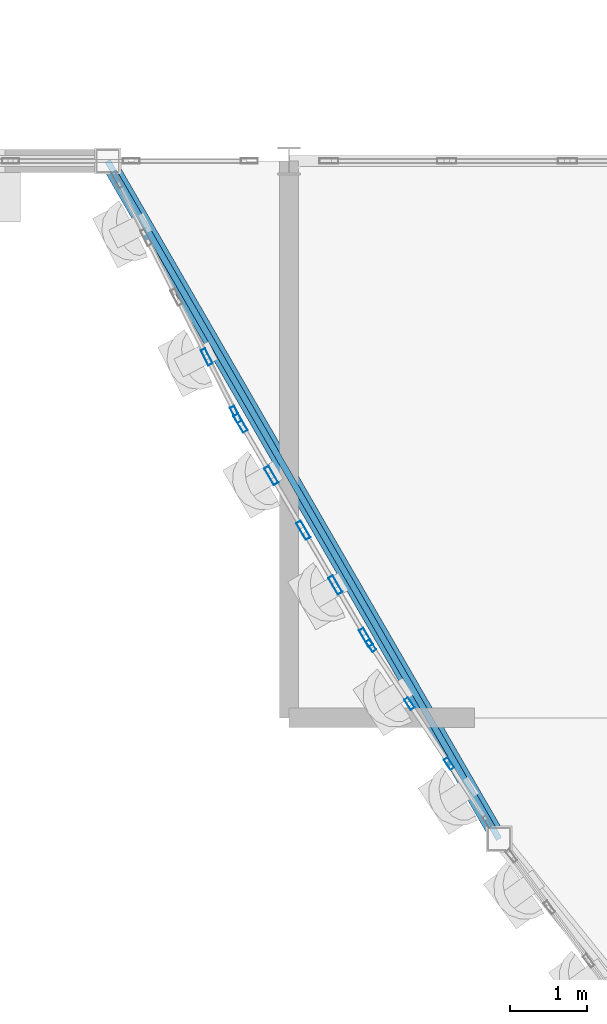
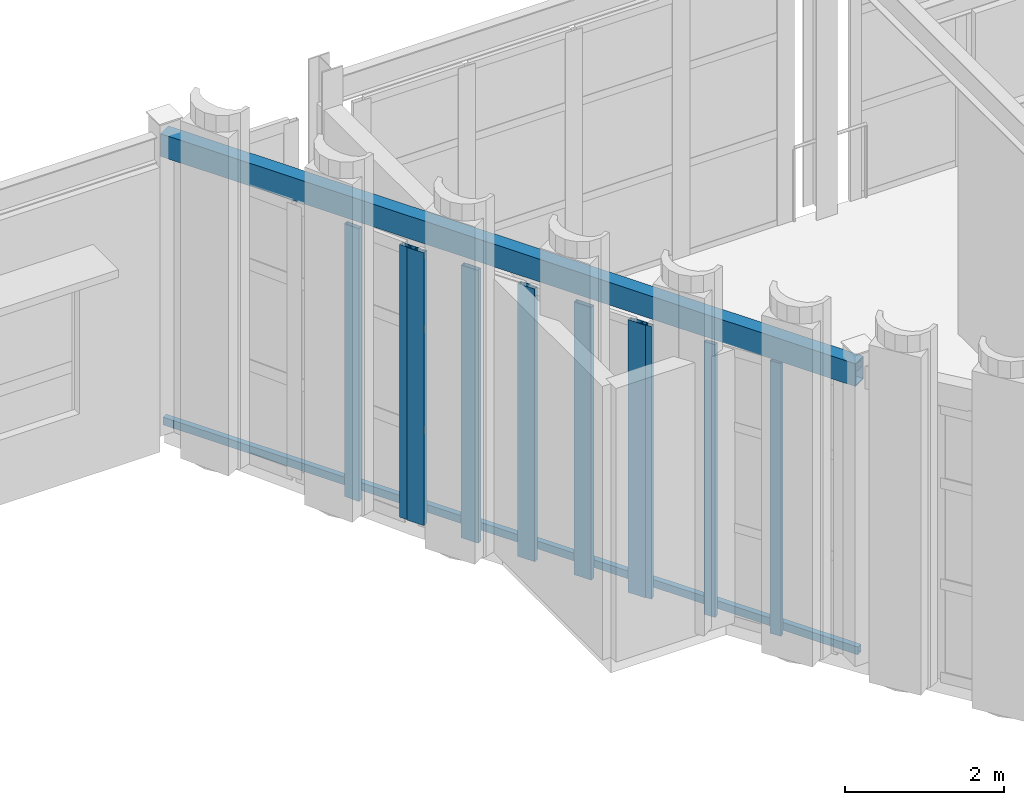
# One storey, part 16 of 126: 12 members, 1 beam, 3 elements without a shape of their own.
"""IFC4 building model written with IfcOpenShell, lengths in metres."""

from ifc_helpers import new_model, si_unit, direction, frame, origin, origin_2d, place, context, subcontext, project, spatial, hollow_rectangle, extrude, material, layer, layer_set, material_profile, profile_set, type_object, element, aggregate, save


model = new_model("IFC4")

# Units and contexts
model_context = context("Model", 3, precision=1e-05, world=origin(), true_north=direction((0.0, 1.0)))
body_context = subcontext(model_context, "Body", "Model", "MODEL_VIEW")
ifc_project = project(units=[si_unit("LENGTHUNIT", "METRE"), si_unit("AREAUNIT", "SQUARE_METRE"), si_unit("VOLUMEUNIT", "CUBIC_METRE"), si_unit("PLANEANGLEUNIT", "RADIAN"), si_unit("MASSUNIT", "GRAM", prefix="KILO")], contexts=[model_context])

# Site, building, storey
site_placement = place(None, origin())
site = spatial("IfcSite", under=ifc_project, at=site_placement, CompositionType="ELEMENT")
building_placement = place(site_placement, origin())
building = spatial("IfcBuilding", under=site, at=building_placement, Name="Solvadek Multi-Sports Hall", CompositionType="ELEMENT")
storey_placement = place(building_placement, frame((0.0, 0.0, 9.60009765625)))
storey = spatial("IfcBuildingStorey", under=building, at=storey_placement, Name="L02", CompositionType="ELEMENT", Elevation=9.60009765625)

# Curtain wall, members
ifc_material_1 = material(Name="Anodised aluminium", Category="aluminium")
ifc_layer_1 = layer(ifc_material_1, 0.159912109375, Name="Anodised aluminium")
ifc_layer_set_1 = layer_set([ifc_layer_1], Name="Anodised aluminium")
curtain_wall_type_1 = type_object("IfcCurtainWallType", Name="ENV-CW-279X420", PredefinedType="USERDEFINED", material=ifc_layer_set_1)
curtain_wall_1_placement = place(storey_placement, origin())
curtain_wall_1 = element("IfcCurtainWall", 1, at=curtain_wall_1_placement, inside=storey, type_object=curtain_wall_type_1, Name="L02 Crescent Curved Curtain Wall #6", ObjectType="CURTAIN WALL", PredefinedType="USERDEFINED")
ifc_material_profile_1 = material_profile(ifc_material_1, hollow_rectangle(XDim=0.06005859375, YDim=0.159912109375, WallThickness=0.00390625, at=origin_2d()), Name="ALU-M 160x60x4")
ifc_profile_set_1 = profile_set([ifc_material_profile_1], Name="Anodised aluminium")
member_type_1 = type_object("IfcMemberType", Name="ENV-CWM-01", PredefinedType="MULLION", material=ifc_profile_set_1)
member_1_placement = place(storey_placement, frame((29.861328125, 14.133056640625, 0.0), z_axis=(0.0, 0.0, 1.0), x_axis=(0.834097230292, 0.551617449343, 0.0)))
member_1 = element("IfcMember", 2, at=member_1_placement, type_object=member_type_1, Name="CW-03 mullion 1", PredefinedType="MULLION", context=body_context, shape_type="SweptSolid", body=[
    extrude(hollow_rectangle(XDim=0.06005859375, YDim=0.159912109375, WallThickness=0.00390625, at=origin_2d()), origin(), (0.0, 0.0, 1.0), 4.199951171875),
])
member_2_placement = place(storey_placement, frame((30.357421875, 13.383056640625, 0.0), z_axis=(0.0, 0.0, 1.0), x_axis=(0.834097230292, 0.551617449343, 0.0)))
member_2 = element("IfcMember", 3, at=member_2_placement, type_object=member_type_1, Name="CW-03 mullion 2", PredefinedType="MULLION", context=body_context, shape_type="SweptSolid", body=[
    extrude(hollow_rectangle(XDim=0.06005859375, YDim=0.159912109375, WallThickness=0.00390625, at=origin_2d()), origin(), (0.0, 0.0, 1.0), 4.199951171875),
])
member_3_placement = place(storey_placement, frame((30.8701171875, 12.60791015625, 0.0), z_axis=(0.0, 0.0, 1.0), x_axis=(0.834097230292, 0.551617449343, 0.0)))
member_3 = element("IfcMember", 4, at=member_3_placement, type_object=member_type_1, Name="CW-03 mullion 3", PredefinedType="MULLION", context=body_context, shape_type="SweptSolid", body=[
    extrude(hollow_rectangle(XDim=0.06005859375, YDim=0.159912109375, WallThickness=0.00390625, at=origin_2d()), origin(), (0.0, 0.0, 1.0), 4.199951171875),
])
aggregate(curtain_wall_1, [member_1, member_2, member_3])

ifc_layer_2 = layer(ifc_material_1, 0.159912109375, Name="Anodised aluminium")
ifc_layer_set_2 = layer_set([ifc_layer_2], Name="Anodised aluminium")
curtain_wall_type_2 = type_object("IfcCurtainWallType", Name="ENV-CW-347X420", PredefinedType="USERDEFINED", material=ifc_layer_set_2)
curtain_wall_2_placement = place(storey_placement, origin())
curtain_wall_2 = element("IfcCurtainWall", 5, at=curtain_wall_2_placement, inside=storey, type_object=curtain_wall_type_2, Name="L02 Crescent Curved Curtain Wall #2", ObjectType="CURTAIN WALL", PredefinedType="USERDEFINED")
ifc_material_profile_2 = material_profile(ifc_material_1, hollow_rectangle(XDim=0.06494140625, YDim=0.219970703125, WallThickness=0.0048828125, at=origin_2d()), Name="ALU-M 220x65x5")
ifc_profile_set_2 = profile_set([ifc_material_profile_2], Name="Anodised aluminium")
member_type_2 = type_object("IfcMemberType", Name="ENV-CWM-04", PredefinedType="MULLION", material=ifc_profile_set_2)
member_4_placement = place(storey_placement, frame((27.73681640625, 17.866455078125, 0.0), z_axis=(0.0, 0.0, 1.0), x_axis=(0.892241043155, 0.451559432312, 0.0)))
member_4 = element("IfcMember", 6, at=member_4_placement, type_object=member_type_2, Name="CW-01 mullion 4", PredefinedType="MULLION", context=body_context, shape_type="SweptSolid", body=[
    extrude(hollow_rectangle(XDim=0.06494140625, YDim=0.219970703125, WallThickness=0.0048828125, at=origin_2d()), origin(), (0.0, 0.0, 1.0), 4.199951171875),
])
member_5_placement = place(storey_placement, frame((28.11328125, 17.12255859375, 0.0), z_axis=(0.0, 0.0, 1.0), x_axis=(0.892241043155, 0.451559432312, 0.0)))
member_5 = element("IfcMember", 7, at=member_5_placement, type_object=member_type_2, Name="CW-01 mullion 5", PredefinedType="MULLION", context=body_context, shape_type="SweptSolid", body=[
    extrude(hollow_rectangle(XDim=0.06494140625, YDim=0.219970703125, WallThickness=0.0048828125, at=origin_2d()), origin(), (0.0, 0.0, 1.0), 4.199951171875),
])
aggregate(curtain_wall_2, [member_4, member_5])

ifc_layer_3 = layer(ifc_material_1, 0.159912109375, Name="Anodised aluminium")
ifc_layer_set_3 = layer_set([ifc_layer_3], Name="Anodised aluminium")
curtain_wall_type_3 = type_object("IfcCurtainWallType", Name="ENV-CW-328X420", PredefinedType="USERDEFINED", material=ifc_layer_set_3)
curtain_wall_3_placement = place(storey_placement, origin())
curtain_wall_3 = element("IfcCurtainWall", 8, at=curtain_wall_3_placement, inside=storey, type_object=curtain_wall_type_3, Name="L02 Crescent Curved Curtain Wall #4", ObjectType="CURTAIN WALL", PredefinedType="USERDEFINED")
ifc_material_profile_3 = material_profile(ifc_material_1, hollow_rectangle(XDim=0.070068359375, YDim=0.25, WallThickness=0.0048828125, at=origin_2d()), Name="ALU-M 250x70x5")
ifc_profile_set_3 = profile_set([ifc_material_profile_3], Name="Anodised aluminium")
member_type_3 = type_object("IfcMemberType", Name="ENV-CWM-05", PredefinedType="MULLION", material=ifc_profile_set_3)
member_6_placement = place(storey_placement, frame((28.17431640625, 17.010498046875, 0.0), z_axis=(0.0, 0.0, 1.0), x_axis=(0.863144739948, 0.504956590114, 0.0)))
member_6 = element("IfcMember", 9, at=member_6_placement, type_object=member_type_3, Name="CW-02 mullion 1", PredefinedType="MULLION", context=body_context, shape_type="SweptSolid", body=[
    extrude(hollow_rectangle(XDim=0.070068359375, YDim=0.25, WallThickness=0.0048828125, at=origin_2d()), origin(), (0.0, 0.0, 1.0), 4.199951171875),
])
member_7_placement = place(storey_placement, frame((28.57080078125, 16.332763671875, 0.0), z_axis=(0.0, 0.0, 1.0), x_axis=(0.863144739948, 0.504956590114, 0.0)))
member_7 = element("IfcMember", 10, at=member_7_placement, type_object=member_type_3, Name="CW-02 mullion 2", PredefinedType="MULLION", context=body_context, shape_type="SweptSolid", body=[
    extrude(hollow_rectangle(XDim=0.070068359375, YDim=0.25, WallThickness=0.0048828125, at=origin_2d()), origin(), (0.0, 0.0, 1.0), 4.199951171875),
])
member_8_placement = place(storey_placement, frame((28.98486328125, 15.625, 0.0), z_axis=(0.0, 0.0, 1.0), x_axis=(0.863144739948, 0.504956590114, 0.0)))
member_8 = element("IfcMember", 11, at=member_8_placement, type_object=member_type_3, Name="CW-02 mullion 3", PredefinedType="MULLION", context=body_context, shape_type="SweptSolid", body=[
    extrude(hollow_rectangle(XDim=0.070068359375, YDim=0.25, WallThickness=0.0048828125, at=origin_2d()), origin(), (0.0, 0.0, 1.0), 4.199951171875),
])
member_9_placement = place(storey_placement, frame((29.399169921875, 14.9169921875, 0.0), z_axis=(0.0, 0.0, 1.0), x_axis=(0.863144739948, 0.504956590114, 0.0)))
member_9 = element("IfcMember", 12, at=member_9_placement, type_object=member_type_3, Name="CW-02 mullion 4", PredefinedType="MULLION", context=body_context, shape_type="SweptSolid", body=[
    extrude(hollow_rectangle(XDim=0.070068359375, YDim=0.25, WallThickness=0.0048828125, at=origin_2d()), origin(), (0.0, 0.0, 1.0), 4.199951171875),
])
member_10_placement = place(storey_placement, frame((29.79541015625, 14.2392578125, 0.0), z_axis=(0.0, 0.0, 1.0), x_axis=(0.863144739948, 0.504956590114, 0.0)))
member_10 = element("IfcMember", 13, at=member_10_placement, type_object=member_type_3, Name="CW-02 mullion 5", PredefinedType="MULLION", context=body_context, shape_type="SweptSolid", body=[
    extrude(hollow_rectangle(XDim=0.070068359375, YDim=0.25, WallThickness=0.0048828125, at=origin_2d()), origin(), (0.0, 0.0, 1.0), 4.199951171875),
])
aggregate(curtain_wall_3, [member_6, member_7, member_8, member_9, member_10])

# Beam
ifc_material_2 = material(Name="Steel E350 (350 MPa)", Category="steel")
ifc_material_profile_4 = material_profile(ifc_material_2, hollow_rectangle(XDim=0.199951171875, YDim=0.35009765625, WallThickness=0.011962890625, at=origin_2d()), Name="RHS 350x200x12")
ifc_profile_set_4 = profile_set([ifc_material_profile_4], Name="Steel E350 (350 MPa)")
beam_type = type_object("IfcBeamType", Name="STR-SPN-RHS350", PredefinedType="SPANDREL", material=ifc_profile_set_4)
beam_placement = place(storey_placement, frame((26.45458984375, 20.39990234375, 4.40478515625), z_axis=(0.499895035967, -0.866085996316, 0.0), x_axis=(0.866085996316, 0.499895035967, 0.0)))
element("IfcBeam", 14, at=beam_placement, inside=storey, type_object=beam_type, Name="L02 Curved Crescent Spandrel #58", PredefinedType="SPANDREL", context=body_context, shape_type="SweptSolid", body=[
    extrude(hollow_rectangle(XDim=0.199951171875, YDim=0.35009765625, WallThickness=0.011962890625, at=origin_2d()), origin(), (0.0, 0.0, 1.0), 10.123291015625),
])

# Members
ifc_material_3 = material(Name="Steel E250 (250 MPa)", Category="steel")
ifc_material_profile_5 = material_profile(ifc_material_3, hollow_rectangle(XDim=0.080078125, YDim=0.1201171875, WallThickness=0.006103515625, at=origin_2d()), Name="RHS 120x80x6")
ifc_profile_set_5 = profile_set([ifc_material_profile_5], Name="Steel E250 (250 MPa)")
member_type_4 = type_object("IfcMemberType", Name="STR-STD-RHS120", PredefinedType="STUD", material=ifc_profile_set_5)
for number, where, z_axis, x_axis, name in (
    (15, (26.45458984375, 20.39990234375, 0.119873046875), (0.499895035967, -0.866085996316, 0.0), (0.866085996316, 0.499895035967, 0.0), "L02 Flute Subframe Rail W-1 bot"),
    (16, (26.45458984375, 20.39990234375, 4.5), (0.499895035967, -0.866085996316, 0.0), (0.866085996316, 0.499895035967, 0.0), "L02 Flute Subframe Rail W-1 top"),
):
    element("IfcMember", number, at=place(storey_placement, frame(where, z_axis=z_axis, x_axis=x_axis)), inside=storey, type_object=member_type_4, Name=name, PredefinedType="STUD", context=body_context, shape_type="SweptSolid", body=[
        extrude(hollow_rectangle(XDim=0.080078125, YDim=0.1201171875, WallThickness=0.006103515625, at=origin_2d()), origin(), (0.0, 0.0, 1.0), 10.123291015625),
    ])

save(model, "model.ifc")
